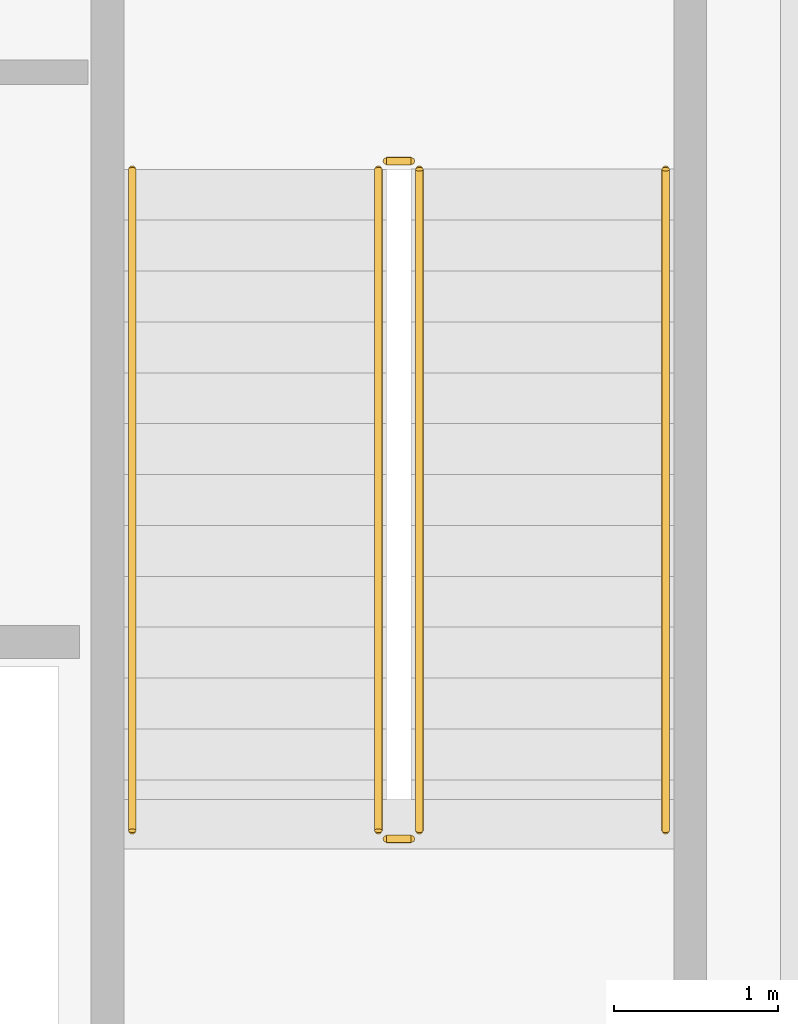
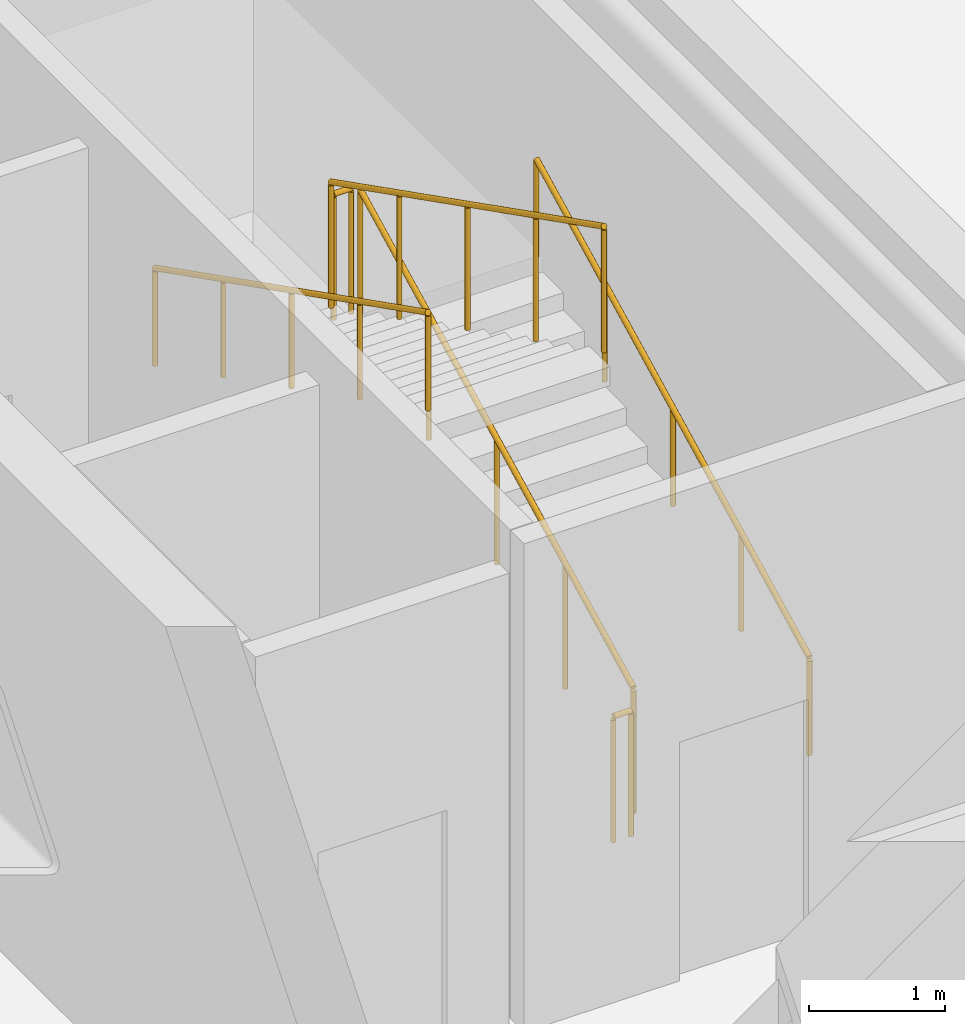
# One storey, part 12 of 12: 6 railings.
"""IFC4 building model written with IfcOpenShell, lengths in metres."""

from ifc_helpers import new_model, si_unit, direction, frame, origin, origin_2d, place, context, subcontext, project, spatial, circle, extrude, material, type_object, element, save


model = new_model("IFC4")

# Units and contexts
model_context = context("Model", 3, precision=1e-05, world=origin(), true_north=direction((0.0, 1.0)))
body_context = subcontext(model_context, "Body", "Model", "MODEL_VIEW")
ifc_project = project(units=[si_unit("LENGTHUNIT", "METRE"), si_unit("AREAUNIT", "SQUARE_METRE"), si_unit("VOLUMEUNIT", "CUBIC_METRE"), si_unit("PLANEANGLEUNIT", "RADIAN"), si_unit("MASSUNIT", "GRAM", prefix="KILO")], contexts=[model_context])

# Site, building, storey
site_placement = place(None, origin())
site = spatial("IfcSite", under=ifc_project, at=site_placement, CompositionType="ELEMENT")
building_placement = place(site_placement, origin())
building = spatial("IfcBuilding", under=site, at=building_placement, Name="Vaeldorn Concourse Tower", CompositionType="ELEMENT")
storey_placement = place(building_placement, frame((0.0, 0.0, 308.39990234375)))
storey = spatial("IfcBuildingStorey", under=building, at=storey_placement, Name="L79", CompositionType="ELEMENT", Elevation=308.39990234375)

# Railings
ifc_material = material(Name="Anodised Bronze Aluminium", Category="aluminium")
railing_type_1 = type_object("IfcRailingType", Name="RL-STAIR-GUARD", PredefinedType="GUARDRAIL", material=ifc_material)
railing_1_placement = place(storey_placement, frame((51.39990234375, 41.60009765625, 0.1572265625)))
element("IfcRailing", 1, at=railing_1_placement, inside=storey, type_object=railing_type_1, Name="L79 ST-2 stair guard 1", PredefinedType="GUARDRAIL", context=body_context, shape_type="SweptSolid", body=[
    extrude(circle(Radius=0.02392578125, at=origin_2d()), frame((0.0, 0.0, 1.1259765625), z_axis=(0.0, 0.891927692675, 0.452178052363), x_axis=(-1.0, 0.0, 0.0)), (0.0, 0.0, 1.0), 4.51806640625),
    extrude(circle(Radius=0.02099609375, at=origin_2d()), origin(), (0.0, 0.0, 1.0), 1.101806640625),
    extrude(circle(Radius=0.02099609375, at=origin_2d()), frame((0.0, 1.00732421875, 0.5107421875)), (0.0, 0.0, 1.0), 1.101806640625),
    extrude(circle(Radius=0.02099609375, at=origin_2d()), frame((0.0, 2.014892578125, 1.021484375)), (0.0, 0.0, 1.0), 1.101806640625),
    extrude(circle(Radius=0.02099609375, at=origin_2d()), frame((0.0, 3.0224609375, 1.5322265625)), (0.0, 0.0, 1.0), 1.101806640625),
    extrude(circle(Radius=0.02099609375, at=origin_2d()), frame((0.0, 4.02978515625, 2.04296875)), (0.0, 0.0, 1.0), 1.101806640625),
])
railing_2_placement = place(storey_placement, frame((51.35009765625, 45.679931640625, 2.2001953125)))
element("IfcRailing", 2, at=railing_2_placement, inside=storey, type_object=railing_type_1, Name="L79 ST-2 stair guard 2", PredefinedType="GUARDRAIL", context=body_context, shape_type="SweptSolid", body=[
    extrude(circle(Radius=0.02392578125, at=origin_2d()), frame((0.0, 0.0, 1.1259765625), z_axis=(-1.0, 0.0, 0.0), x_axis=(0.0, -1.0, 0.0)), (0.0, 0.0, 1.0), 0.150146484375),
    extrude(circle(Radius=0.02099609375, at=origin_2d()), origin(), (0.0, 0.0, 1.0), 1.101806640625),
    extrude(circle(Radius=0.02099609375, at=origin_2d()), frame((-0.150146484375, 0.0, 0.0)), (0.0, 0.0, 1.0), 1.101806640625),
])
railing_3_placement = place(storey_placement, frame((51.14990234375, 45.6298828125, 2.357177734375)))
element("IfcRailing", 3, at=railing_3_placement, inside=storey, type_object=railing_type_1, Name="L79 ST-2 stair guard 3", PredefinedType="GUARDRAIL", context=body_context, shape_type="SweptSolid", body=[
    extrude(circle(Radius=0.02392578125, at=origin_2d()), frame((0.0, 0.0, 1.1259765625), z_axis=(0.0, -0.891927692675, 0.452178052363), x_axis=(1.0, 0.0, 0.0)), (0.0, 0.0, 1.0), 4.51806640625),
    extrude(circle(Radius=0.02099609375, at=origin_2d()), origin(), (0.0, 0.0, 1.0), 1.101806640625),
    extrude(circle(Radius=0.02099609375, at=origin_2d()), frame((0.0, -1.00732421875, 0.5107421875)), (0.0, 0.0, 1.0), 1.101806640625),
    extrude(circle(Radius=0.02099609375, at=origin_2d()), frame((0.0, -2.014892578125, 1.021484375)), (0.0, 0.0, 1.0), 1.101806640625),
    extrude(circle(Radius=0.02099609375, at=origin_2d()), frame((0.0, -3.0224609375, 1.5322265625)), (0.0, 0.0, 1.0), 1.101806640625),
    extrude(circle(Radius=0.02099609375, at=origin_2d()), frame((0.0, -4.02978515625, 2.04296875)), (0.0, 0.0, 1.0), 1.101806640625),
])
railing_4_placement = place(storey_placement, frame((51.35009765625, 41.550048828125, 0.0)))
element("IfcRailing", 4, at=railing_4_placement, inside=storey, type_object=railing_type_1, Name="L79 ST-2 stair guard 4", PredefinedType="GUARDRAIL", context=body_context, shape_type="SweptSolid", body=[
    extrude(circle(Radius=0.02392578125, at=origin_2d()), frame((0.0, 0.0, 1.1259765625), z_axis=(-1.0, 0.0, 0.0), x_axis=(0.0, -1.0, 0.0)), (0.0, 0.0, 1.0), 0.150146484375),
    extrude(circle(Radius=0.02099609375, at=origin_2d()), origin(), (0.0, 0.0, 1.0), 1.101806640625),
    extrude(circle(Radius=0.02099609375, at=origin_2d()), frame((-0.150146484375, 0.0, 0.0)), (0.0, 0.0, 1.0), 1.101806640625),
])
railing_type_2 = type_object("IfcRailingType", Name="RL-STAIR-HANDRAIL", PredefinedType="HANDRAIL", material=ifc_material)
railing_5_placement = place(storey_placement, frame((52.89990234375, 41.60009765625, 0.1572265625)))
element("IfcRailing", 5, at=railing_5_placement, inside=storey, type_object=railing_type_2, Name="L79 ST-2 stair handrail 1", PredefinedType="HANDRAIL", context=body_context, shape_type="SweptSolid", body=[
    extrude(circle(Radius=0.02392578125, at=origin_2d()), frame((0.0, 0.0, 0.8759765625), z_axis=(0.0, 0.891927692675, 0.452178052363), x_axis=(-1.0, 0.0, 0.0)), (0.0, 0.0, 1.0), 4.51806640625),
    extrude(circle(Radius=0.02099609375, at=origin_2d()), origin(), (0.0, 0.0, 1.0), 0.851806640625),
    extrude(circle(Radius=0.02099609375, at=origin_2d()), frame((0.0, 1.00732421875, 0.5107421875)), (0.0, 0.0, 1.0), 0.851806640625),
    extrude(circle(Radius=0.02099609375, at=origin_2d()), frame((0.0, 2.014892578125, 1.021484375)), (0.0, 0.0, 1.0), 0.851806640625),
    extrude(circle(Radius=0.02099609375, at=origin_2d()), frame((0.0, 3.0224609375, 1.5322265625)), (0.0, 0.0, 1.0), 0.851806640625),
    extrude(circle(Radius=0.02099609375, at=origin_2d()), frame((0.0, 4.02978515625, 2.04296875)), (0.0, 0.0, 1.0), 0.851806640625),
])
railing_6_placement = place(storey_placement, frame((49.64990234375, 45.6298828125, 2.357177734375)))
element("IfcRailing", 6, at=railing_6_placement, inside=storey, type_object=railing_type_2, Name="L79 ST-2 stair handrail 2", PredefinedType="HANDRAIL", context=body_context, shape_type="SweptSolid", body=[
    extrude(circle(Radius=0.02392578125, at=origin_2d()), frame((0.0, 0.0, 0.8759765625), z_axis=(0.0, -0.891927692675, 0.452178052363), x_axis=(1.0, 0.0, 0.0)), (0.0, 0.0, 1.0), 4.51806640625),
    extrude(circle(Radius=0.02099609375, at=origin_2d()), origin(), (0.0, 0.0, 1.0), 0.851806640625),
    extrude(circle(Radius=0.02099609375, at=origin_2d()), frame((0.0, -1.00732421875, 0.5107421875)), (0.0, 0.0, 1.0), 0.851806640625),
    extrude(circle(Radius=0.02099609375, at=origin_2d()), frame((0.0, -2.014892578125, 1.021484375)), (0.0, 0.0, 1.0), 0.851806640625),
    extrude(circle(Radius=0.02099609375, at=origin_2d()), frame((0.0, -3.0224609375, 1.5322265625)), (0.0, 0.0, 1.0), 0.851806640625),
    extrude(circle(Radius=0.02099609375, at=origin_2d()), frame((0.0, -4.02978515625, 2.04296875)), (0.0, 0.0, 1.0), 0.851806640625),
])

save(model, "model.ifc")
